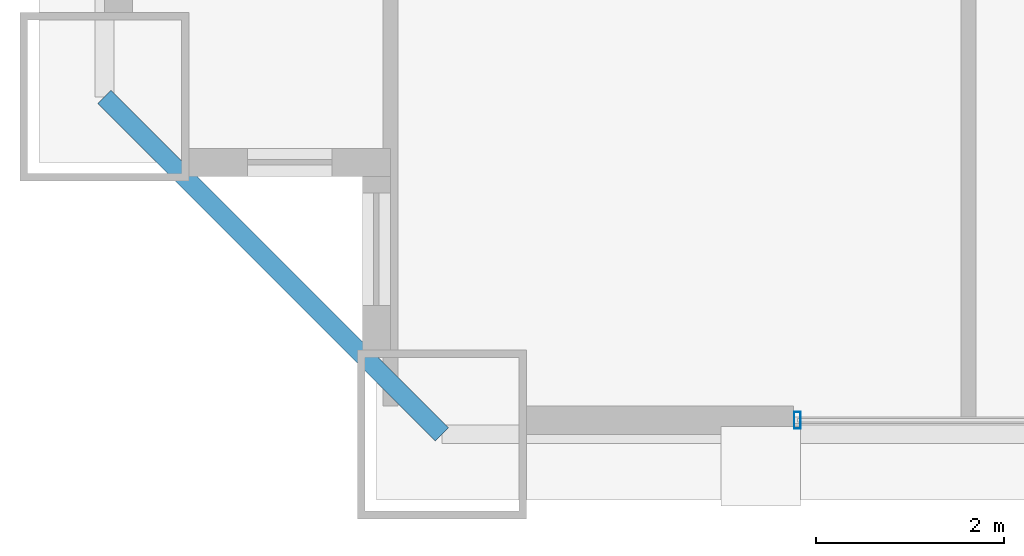
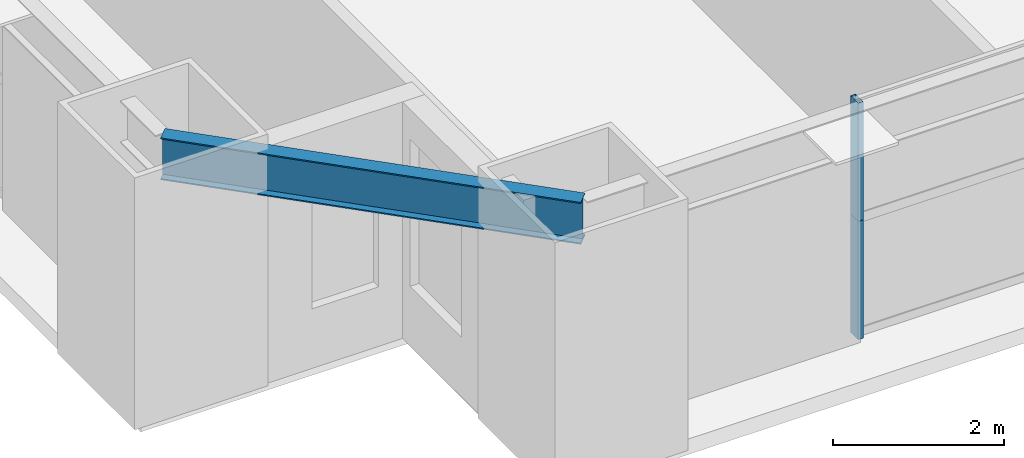
# One storey, part 3 of 43: 2 members, 1 beam, 1 element without a shape of its own.
"""IFC4 building model written with IfcOpenShell, lengths in metres."""

from ifc_helpers import new_model, si_unit, direction, frame, origin, origin_2d, place, context, subcontext, project, spatial, hollow_rectangle, i_section, extrude, source, transform, mapped, material, layer, layer_set, material_profile, profile_set, type_object, element, aggregate, save


model = new_model("IFC4")

# Units and contexts
model_context = context("Model", 3, precision=1e-05, world=origin(), true_north=direction((0.0, 1.0)))
body_context = subcontext(model_context, "Body", "Model", "MODEL_VIEW")
ifc_project = project(units=[si_unit("LENGTHUNIT", "METRE"), si_unit("AREAUNIT", "SQUARE_METRE"), si_unit("VOLUMEUNIT", "CUBIC_METRE"), si_unit("PLANEANGLEUNIT", "RADIAN"), si_unit("MASSUNIT", "GRAM", prefix="KILO"), si_unit("THERMODYNAMICTEMPERATUREUNIT", "KELVIN"), si_unit("POWERUNIT", "WATT")], contexts=[model_context])

# Site, building, storey
site_placement = place(None, origin())
site = spatial("IfcSite", under=ifc_project, at=site_placement, CompositionType="ELEMENT")
building_placement = place(site_placement, origin())
building = spatial("IfcBuilding", under=site, at=building_placement, Name="Yuzanri Waterfront Tower", CompositionType="ELEMENT")
storey_placement = place(building_placement, frame((0.0, 0.0, 64.0)))
storey = spatial("IfcBuildingStorey", under=building, at=storey_placement, Name="L16", CompositionType="ELEMENT", Elevation=64.0)

# Beam
ifc_material_1 = material(Name="Steel Q355B", Category="steel")
ifc_material_profile_1 = material_profile(ifc_material_1, i_section(OverallWidth=0.199951171875, OverallDepth=0.60009765625, WebThickness=0.010986328125, FlangeThickness=0.01708984375, at=origin_2d()), Name="HN 600x200x11x17")
ifc_profile_set_1 = profile_set([ifc_material_profile_1], Name="Steel Q355B")
beam_type = type_object("IfcBeamType", Name="Perimeter Spandrel Q355B HN 600x200", PredefinedType="SPANDREL", material=ifc_profile_set_1)
shared_shape_1 = source(origin(), body_context, "Body", "SweptSolid", [
    extrude(i_section(OverallWidth=0.199951171875, OverallDepth=0.60009765625, WebThickness=0.010986328125, FlangeThickness=0.01708984375, at=origin_2d()), origin(), (0.0, 0.0, 1.0), 5.09130859375),
])
beam_placement = place(storey_placement, frame((11.89990234375, 4.300048828125, 3.080078125), z_axis=(0.707106781187, -0.707106781187, 0.0), x_axis=(0.707106781187, 0.707106781187, 0.0)))
element("IfcBeam", 1, at=beam_placement, inside=storey, type_object=beam_type, Name="L16 Perimeter Spandrel W1-S1", PredefinedType="SPANDREL", context=body_context, shape_type="MappedRepresentation", body=[
    mapped(shared_shape_1, transform((0.0, 0.0, 0.0), scale=1.0)),
])

# Curtain wall, members
ifc_material_2 = material(Name="Anodized Architectural Bronze", Category="metal")
ifc_layer = layer(ifc_material_2, 0.159912109375)
ifc_layer_set = layer_set([ifc_layer], Name="Anodized Architectural Bronze")
curtain_wall_type = type_object("IfcCurtainWallType", Name="Anodized Bronze Hotel Lower-Tier Recessed Unitized Curtain Wall 8100", PredefinedType="NOTDEFINED", material=ifc_layer_set)
curtain_wall_placement = place(storey_placement, origin())
curtain_wall = element("IfcCurtainWall", 2, at=curtain_wall_placement, inside=storey, type_object=curtain_wall_type, Name="L16 Curtain Wall CW-L16-SL", PredefinedType="NOTDEFINED")
ifc_material_3 = material(Name="Anodized Architectural Bronze", Category="metal")
ifc_material_profile_2 = material_profile(ifc_material_3, hollow_rectangle(XDim=0.070068359375, YDim=0.179931640625, WallThickness=0.00390625, at=origin_2d()), Name="CWM 70x180")
ifc_profile_set_2 = profile_set([ifc_material_profile_2], Name="Anodized Architectural Bronze")
member_type = type_object("IfcMemberType", Name="Anodized Bronze Standard Curtain-Wall Mullion 70x180", PredefinedType="MULLION", material=ifc_profile_set_2)
shared_shape_2 = source(origin(), body_context, "Body", "SweptSolid", [
    extrude(hollow_rectangle(XDim=0.070068359375, YDim=0.179931640625, WallThickness=0.00390625, at=origin_2d()), origin(), (0.0, 0.0, 1.0), 1.68798828125),
])
member_1_placement = place(storey_placement, frame((19.2900390625, 0.85009765625, 0.0), z_axis=(0.0, 0.0, 1.0), x_axis=(1.0, 0.0, 0.0)))
member_1 = element("IfcMember", 3, at=member_1_placement, type_object=member_type, Name="CW-L16-SL Lower Mullion 00", PredefinedType="MULLION", context=body_context, shape_type="MappedRepresentation", body=[
    mapped(shared_shape_2, transform((0.0, 0.0, 0.0), scale=1.0)),
])
member_2_placement = place(storey_placement, frame((19.2900390625, 0.85009765625, 1.69189453125), z_axis=(0.0, 0.0, 1.0), x_axis=(1.0, 0.0, 0.0)))
member_2 = element("IfcMember", 4, at=member_2_placement, type_object=member_type, Name="CW-L16-SL Upper Mullion 00", PredefinedType="MULLION", context=body_context, shape_type="MappedRepresentation", body=[
    mapped(shared_shape_2, transform((0.0, 0.0, 0.0), scale=1.0)),
])
aggregate(curtain_wall, [member_1, member_2])

save(model, "model.ifc")
